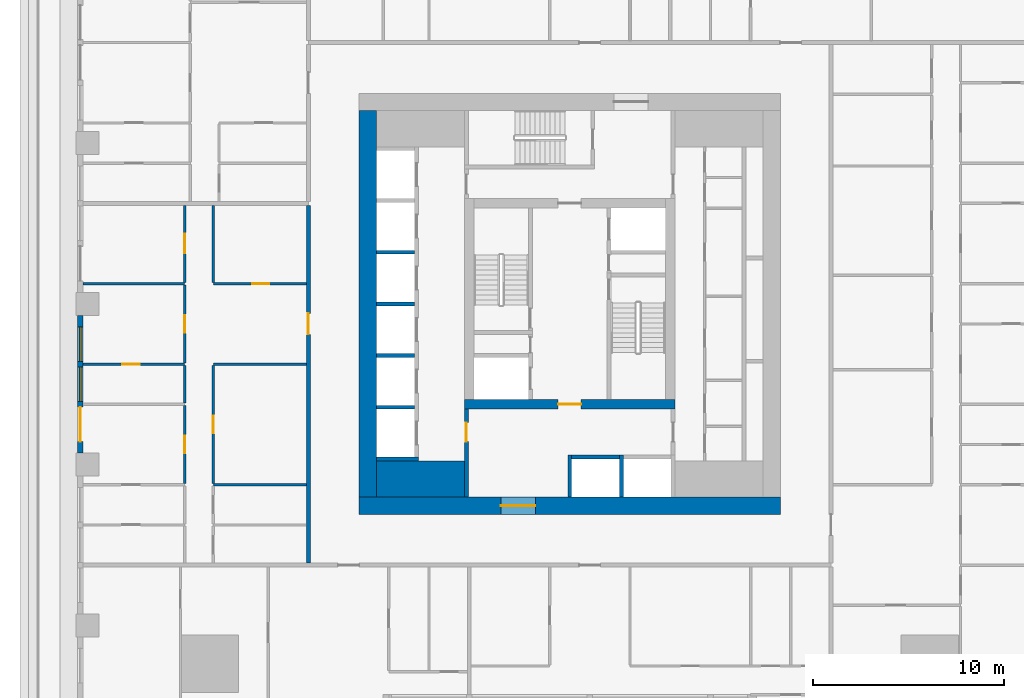
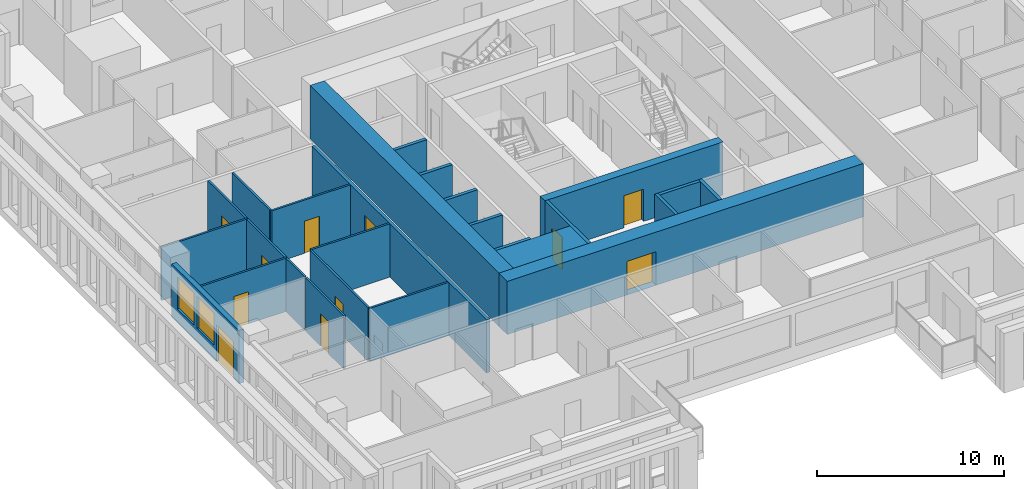
# One storey, part 3 of 15: 26 walls, 11 doors, 2 windows, 13 openings.
"""IFC4 building model written with IfcOpenShell, lengths in metres."""

from ifc_helpers import new_model, si_unit, direction, frame, frame_2d, origin, place, context, subcontext, project, spatial, rectangle, extrude, material, layer, layer_set, type_object, element, fill, save


model = new_model("IFC4")

# Units and contexts
model_context = context("Model", 3, precision=1e-05, world=origin(), true_north=direction((0.0, 1.0)))
body_context = subcontext(model_context, "Body", "Model", "MODEL_VIEW")
ifc_project = project(units=[si_unit("LENGTHUNIT", "METRE"), si_unit("AREAUNIT", "SQUARE_METRE"), si_unit("VOLUMEUNIT", "CUBIC_METRE"), si_unit("PLANEANGLEUNIT", "RADIAN"), si_unit("MASSUNIT", "GRAM", prefix="KILO")], contexts=[model_context])

# Site, building, storey
site_placement = place(None, origin())
site = spatial("IfcSite", under=ifc_project, at=site_placement, CompositionType="ELEMENT")
building_placement = place(site_placement, origin())
building = spatial("IfcBuilding", under=site, at=building_placement, Name="Khepri Terraces", CompositionType="ELEMENT")
storey_placement = place(building_placement, frame((0.0, 0.0, 50.39990234375)))
storey = spatial("IfcBuildingStorey", under=building, at=storey_placement, Name="L11", CompositionType="ELEMENT", Elevation=50.39990234375)

# Walls
ifc_material_1 = material(Name="Concrete C80/95", Category="concrete")
ifc_layer_1 = layer(ifc_material_1, 1.89990234375, Name="Concrete C80/95", Category="concrete")
ifc_layer_set_1 = layer_set([ifc_layer_1], Name="Concrete C80/95")
wall_type_1 = type_object("IfcWallType", Name="Core wall 1900 C80/95", PredefinedType="SHEAR", material=ifc_layer_set_1)
wall_1_placement = place(storey_placement, frame((-10.10009765625, -9.14990234375, 0.0), z_axis=(0.0, 0.0, 1.0), x_axis=(1.0, 0.0, 0.0)))
element("IfcWall", 1, at=wall_1_placement, inside=storey, type_object=wall_type_1, Name="Core wall PR01 L11", PredefinedType="SHEAR", context=body_context, shape_type="SweptSolid", body=[
    extrude(rectangle(XDim=4.60009765625, YDim=1.89990234375, at=frame_2d((2.300048828125, 0.0))), origin(), (0.0, 0.0, 1.0), 3.47998046875),
])
ifc_layer_2 = layer(ifc_material_1, 0.199951171875, Name="Concrete C80/95", Category="concrete")
ifc_layer_set_2 = layer_set([ifc_layer_2], Name="Concrete C80/95")
wall_type_2 = type_object("IfcWallType", Name="Core wall 200 C80/95", PredefinedType="SHEAR", material=ifc_layer_set_2)
for number, where, z_axis, x_axis, name in (
    (2, (0.0, -10.10009765625, 0.0), (0.0, 0.0, 1.0), (0.0, 1.0, 0.0), "Core wall SH01 L11"),
    (3, (2.699951171875, -10.10009765625, 0.0), (0.0, 0.0, 1.0), (0.0, 1.0, 0.0), "Core wall SH02 L11"),
    (4, (-10.10009765625, -8.10009765625, 0.0), (0.0, 0.0, 1.0), (1.0, 0.0, 0.0), "Core wall SH04 L11"),
):
    element("IfcWall", number, at=place(storey_placement, frame(where, z_axis=z_axis, x_axis=x_axis)), inside=storey, type_object=wall_type_2, Name=name, PredefinedType="SHEAR", context=body_context, shape_type="SweptSolid", body=[
        extrude(rectangle(XDim=2.2001953125, YDim=0.199951171875, at=frame_2d((1.10009765625, 0.0))), origin(), (0.0, 0.0, 1.0), 3.47998046875),
    ])
wall_2_placement = place(storey_placement, frame((0.10009765625, -8.0, 0.0), z_axis=(0.0, 0.0, 1.0), x_axis=(1.0, 0.0, 0.0)))
element("IfcWall", 5, at=wall_2_placement, inside=storey, type_object=wall_type_2, Name="Core wall SH06 L11", PredefinedType="SHEAR", context=body_context, shape_type="SweptSolid", body=[
    extrude(rectangle(XDim=2.5, YDim=0.199951171875, at=frame_2d((1.25, 0.0))), origin(), (0.0, 0.0, 1.0), 3.47998046875),
])
for number, where, z_axis, x_axis, name in (
    (6, (-10.10009765625, -5.39990234375, 0.0), (0.0, 0.0, 1.0), (1.0, 0.0, 0.0), "Core wall SH09 L11"),
    (7, (-10.10009765625, -2.699951171875, 0.0), (0.0, 0.0, 1.0), (1.0, 0.0, 0.0), "Core wall SH12 L11"),
    (8, (-10.10009765625, 0.0, 0.0), (0.0, 0.0, 1.0), (1.0, 0.0, 0.0), "Core wall SH14 L11"),
    (9, (-10.10009765625, 2.699951171875, 0.0), (0.0, 0.0, 1.0), (1.0, 0.0, 0.0), "Core wall SH17 L11"),
):
    element("IfcWall", number, at=place(storey_placement, frame(where, z_axis=z_axis, x_axis=x_axis)), inside=storey, type_object=wall_type_2, Name=name, PredefinedType="SHEAR", context=body_context, shape_type="SweptSolid", body=[
        extrude(rectangle(XDim=2.0, YDim=0.199951171875, at=frame_2d((1.0, 0.0))), origin(), (0.0, 0.0, 1.0), 3.47998046875),
    ])

# Wall, opening, door
ifc_layer_3 = layer(ifc_material_1, 0.5, Name="Concrete C80/95", Category="concrete")
ifc_layer_set_3 = layer_set([ifc_layer_3], Name="Concrete C80/95")
wall_type_3 = type_object("IfcWallType", Name="Core wall 500 C80/95", PredefinedType="SHEAR", material=ifc_layer_set_3)
wall_3_placement = place(storey_placement, frame((-5.5, -5.25, 0.0), z_axis=(0.0, 0.0, 1.0), x_axis=(1.0, 0.0, 0.0)))
wall_3 = element("IfcWall", 10, at=wall_3_placement, inside=storey, type_object=wall_type_3, Name="Core wall BX01 L11", PredefinedType="SHEAR", context=body_context, shape_type="SweptSolid", body=[
    extrude(rectangle(XDim=11.0, YDim=0.5, at=frame_2d((5.5, 0.0))), origin(), (0.0, 0.0, 1.0), 3.47998046875),
])
opening_1_placement = place(wall_3_placement, frame((4.89990234375, 0.0, 0.0)))
opening_1 = element("IfcOpeningElement", 11, at=opening_1_placement, cuts=wall_3, Name="Opening L11-C14", PredefinedType="OPENING", context=body_context, shape_type="SweptSolid", body=[
    extrude(rectangle(XDim=1.199951171875, YDim=2.10009765625, at=frame_2d((0.60009765625, 1.050048828125))), frame((0.0, 0.260009765625, 0.0), z_axis=(0.0, -1.0, 0.0), x_axis=(1.0, 0.0, 0.0)), (0.0, 0.0, 1.0), 0.52001953125),
])
ifc_material_2 = material(Name="Painted steel", Category="steel")
door_type_1 = type_object("IfcDoorType", Name="DR-CORE-FF-LOBBY-1200", OperationType="NOTDEFINED", PredefinedType="DOOR", material=ifc_material_2)
door_1_placement = place(opening_1_placement, origin())
door_1 = element("IfcDoor", 12, at=door_1_placement, inside=storey, type_object=door_type_1, Name="Firefighting lobby door L11-C14", OperationType="SINGLE_SWING_RIGHT", OverallHeight=2.10009765625, OverallWidth=1.199951171875, PredefinedType="DOOR", context=body_context, shape_type="SweptSolid", body=[
    extrude(rectangle(XDim=1.199951171875, YDim=2.10009765625, at=frame_2d((0.60009765625, 1.050048828125))), frame((0.0, 0.02490234375, 0.0), z_axis=(0.0, -1.0, 0.0), x_axis=(1.0, 0.0, 0.0)), (0.0, 0.0, 1.0), 0.050048828125),
])
fill(opening_1, door_1)

ifc_layer_4 = layer(ifc_material_1, 0.89990234375, Name="Concrete C80/95", Category="concrete")
ifc_layer_set_4 = layer_set([ifc_layer_4], Name="Concrete C80/95")
wall_type_4 = type_object("IfcWallType", Name="Core wall 900 C80/95", PredefinedType="SHEAR", material=ifc_layer_set_4)
wall_4_placement = place(storey_placement, frame((-11.0, -10.550048828125, 0.0), z_axis=(0.0, 0.0, 1.0), x_axis=(1.0, 0.0, 0.0)))
wall_4 = element("IfcWall", 13, at=wall_4_placement, inside=storey, type_object=wall_type_4, Name="Core wall OW-S L11", PredefinedType="SHEAR", context=body_context, shape_type="SweptSolid", body=[
    extrude(rectangle(XDim=22.0, YDim=0.89990234375, at=frame_2d((11.0, 0.0))), origin(), (0.0, 0.0, 1.0), 3.47998046875),
])
opening_2_placement = place(wall_4_placement, frame((7.39990234375, 0.0, 0.0)))
opening_2 = element("IfcOpeningElement", 14, at=opening_2_placement, cuts=wall_4, Name="Opening L11-C21", PredefinedType="OPENING", context=body_context, shape_type="SweptSolid", body=[
    extrude(rectangle(XDim=1.800048828125, YDim=2.199951171875, at=frame_2d((0.89990234375, 1.10009765625))), frame((0.0, 0.4599609375, 0.0), z_axis=(0.0, -1.0, 0.0), x_axis=(1.0, 0.0, 0.0)), (0.0, 0.0, 1.0), 0.919921875),
])
door_type_2 = type_object("IfcDoorType", Name="DR-CORE-ENTRANCE-1800", OperationType="NOTDEFINED", PredefinedType="DOOR", material=ifc_material_2)
door_2_placement = place(opening_2_placement, frame((1.800048828125, 0.0, 0.0), z_axis=(0.0, 0.0, 1.0), x_axis=(-1.0, 0.0, 0.0)))
door_2 = element("IfcDoor", 15, at=door_2_placement, inside=storey, type_object=door_type_2, Name="Core entrance door pair L11-C21", OperationType="DOUBLE_DOOR_SINGLE_SWING", OverallHeight=2.199951171875, OverallWidth=1.800048828125, PredefinedType="DOOR", context=body_context, shape_type="SweptSolid", body=[
    extrude(rectangle(XDim=1.800048828125, YDim=2.199951171875, at=frame_2d((0.89990234375, 1.10009765625))), frame((0.0, 0.02490234375, 0.0), z_axis=(0.0, -1.0, 0.0), x_axis=(1.0, 0.0, 0.0)), (0.0, 0.0, 1.0), 0.050048828125),
])
fill(opening_2, door_2)

# Wall
wall_5_placement = place(storey_placement, frame((-10.550048828125, -10.10009765625, 0.0), z_axis=(0.0, 0.0, 1.0), x_axis=(0.0, 1.0, 0.0)))
element("IfcWall", 16, at=wall_5_placement, inside=storey, type_object=wall_type_4, Name="Core wall OW-W L11", PredefinedType="SHEAR", context=body_context, shape_type="SweptSolid", body=[
    extrude(rectangle(XDim=20.2001953125, YDim=0.89990234375, at=frame_2d((10.10009765625, 0.0))), origin(), (0.0, 0.0, 1.0), 3.47998046875),
])

# Wall, opening, door
ifc_material_3 = material(Name="Fire-rated gypsum board partition")
ifc_layer_5 = layer(ifc_material_3, 0.199951171875, Name="Fire-rated gypsum board partition")
ifc_layer_set_5 = layer_set([ifc_layer_5], Name="Fire-rated gypsum board partition")
wall_type_5 = type_object("IfcWallType", Name="WL-CORE-PART-200", PredefinedType="PARTITIONING", material=ifc_layer_set_5)
wall_6_placement = place(storey_placement, frame((-5.39990234375, -10.10009765625, 0.0), z_axis=(0.0, 0.0, 1.0), x_axis=(0.0, 1.0, 0.0)))
wall_6 = element("IfcWall", 17, at=wall_6_placement, inside=storey, type_object=wall_type_5, Name="Core partition PT01 L11", PredefinedType="PARTITIONING", context=body_context, shape_type="SweptSolid", body=[
    extrude(rectangle(XDim=4.60009765625, YDim=0.199951171875, at=frame_2d((2.300048828125, 0.0))), origin(), (0.0, 0.0, 1.0), 3.47998046875),
])
opening_3_placement = place(wall_6_placement, frame((2.89990234375, 0.0, 0.0)))
opening_3 = element("IfcOpeningElement", 18, at=opening_3_placement, cuts=wall_6, Name="Opening L11-C18", PredefinedType="OPENING", context=body_context, shape_type="SweptSolid", body=[
    extrude(rectangle(XDim=1.0, YDim=2.10009765625, at=frame_2d((0.5, 1.050048828125))), frame((0.0, 0.10986328125, 0.0), z_axis=(0.0, -1.0, 0.0), x_axis=(1.0, 0.0, 0.0)), (0.0, 0.0, 1.0), 0.219970703125),
])
door_type_3 = type_object("IfcDoorType", Name="DR-CORE-LOBBY-1000", OperationType="NOTDEFINED", PredefinedType="DOOR", material=ifc_material_2)
door_3_placement = place(opening_3_placement, frame((1.0, 0.0, 0.0), z_axis=(0.0, 0.0, 1.0), x_axis=(-1.0, 0.0, 0.0)))
door_3 = element("IfcDoor", 19, at=door_3_placement, inside=storey, type_object=door_type_3, Name="Lobby door L11-C18", OperationType="SINGLE_SWING_LEFT", OverallHeight=2.10009765625, OverallWidth=1.0, PredefinedType="DOOR", context=body_context, shape_type="SweptSolid", body=[
    extrude(rectangle(XDim=1.0, YDim=2.10009765625, at=frame_2d((0.5, 1.050048828125))), frame((0.0, 0.02490234375, 0.0), z_axis=(0.0, -1.0, 0.0), x_axis=(1.0, 0.0, 0.0)), (0.0, 0.0, 1.0), 0.050048828125),
])
fill(opening_3, door_3)

ifc_material_4 = material(Name="Fire-rated gypsum plasterboard partition, mineral wool")
ifc_layer_6 = layer(ifc_material_4, 0.199951171875, Name="Fire-rated gypsum plasterboard partition, mineral wool")
ifc_layer_set_6 = layer_set([ifc_layer_6], Name="Fire-rated gypsum plasterboard partition, mineral wool")
wall_type_6 = type_object("IfcWallType", Name="WL-CORR-200", PredefinedType="PARTITIONING", material=ifc_layer_set_6)
wall_7_placement = place(storey_placement, frame((-13.64990234375, -13.550048828125, 0.0), z_axis=(0.0, 0.0, 1.0), x_axis=(0.0, 1.0, 0.0)))
wall_7 = element("IfcWall", 20, at=wall_7_placement, inside=storey, type_object=wall_type_6, Name="Partition P-025 L11", PredefinedType="PARTITIONING", context=body_context, shape_type="SweptSolid", body=[
    extrude(rectangle(XDim=18.699951171875, YDim=0.199951171875, at=frame_2d((9.35009765625, 0.0))), origin(), (0.0, 0.0, 1.0), 3.47998046875),
])
opening_4_placement = place(wall_7_placement, frame((11.949951171875, 0.0, 0.0)))
opening_4 = element("IfcOpeningElement", 21, at=opening_4_placement, cuts=wall_7, Name="Opening D1", PredefinedType="OPENING", context=body_context, shape_type="SweptSolid", body=[
    extrude(rectangle(XDim=1.10009765625, YDim=2.39990234375, at=frame_2d((0.550048828125, 1.199951171875))), frame((0.0, 0.10986328125, 0.0), z_axis=(0.0, -1.0, 0.0), x_axis=(1.0, 0.0, 0.0)), (0.0, 0.0, 1.0), 0.219970703125),
])
ifc_material_5 = material(Name="Solid-core timber door leaf, flat entrance door", Category="wood")
door_type_4 = type_object("IfcDoorType", Name="DR-ENT-1100", OperationType="NOTDEFINED", PredefinedType="DOOR", material=ifc_material_5)
door_4_placement = place(opening_4_placement, origin())
door_4 = element("IfcDoor", 22, at=door_4_placement, inside=storey, type_object=door_type_4, Name="Flat D2 entrance door", OperationType="SINGLE_SWING_RIGHT", OverallHeight=2.39990234375, OverallWidth=1.10009765625, PredefinedType="DOOR", context=body_context, shape_type="SweptSolid", body=[
    extrude(rectangle(XDim=1.10009765625, YDim=2.39990234375, at=frame_2d((0.550048828125, 1.199951171875))), frame((0.0, 0.02490234375, 0.0), z_axis=(0.0, -1.0, 0.0), x_axis=(1.0, 0.0, 0.0)), (0.0, 0.0, 1.0), 0.050048828125),
])
fill(opening_4, door_4)

# Wall, openings, door, windows
ifc_material_6 = material(Name="Precast concrete C50/60 warm stone", Category="masonry")
ifc_layer_7 = layer(ifc_material_6, 0.300048828125, Name="Precast concrete C50/60 warm stone", Category="masonry")
ifc_layer_set_7 = layer_set([ifc_layer_7], Name="Precast concrete C50/60 warm stone")
wall_type_7 = type_object("IfcWallType", Name="WL-EXT-PRECAST-300", PredefinedType="STANDARD", material=ifc_layer_set_7)
wall_8_placement = place(storey_placement, frame((-25.570068359375, -0.60009765625, 0.0), z_axis=(0.0, 0.0, 1.0), x_axis=(0.0, -1.0, 0.0)))
wall_8 = element("IfcWall", 23, at=wall_8_placement, inside=storey, type_object=wall_type_7, Name="External wall L11 W", PredefinedType="STANDARD", context=body_context, shape_type="SweptSolid", body=[
    extrude(rectangle(XDim=7.199951171875, YDim=0.300048828125, at=frame_2d((3.60009765625, 0.0))), origin(), (0.0, 0.0, 1.0), 3.47998046875),
])
opening_5_placement = place(wall_8_placement, frame((0.60009765625, 0.0, 0.89990234375)))
opening_5 = element("IfcOpeningElement", 24, at=opening_5_placement, cuts=wall_8, Name="Opening W1", PredefinedType="OPENING", context=body_context, shape_type="SweptSolid", body=[
    extrude(rectangle(XDim=1.800048828125, YDim=2.10009765625, at=frame_2d((0.89990234375, 1.050048828125))), frame((0.0, 0.16015625, 0.0), z_axis=(0.0, -1.0, 0.0), x_axis=(1.0, 0.0, 0.0)), (0.0, 0.0, 1.0), 0.320068359375),
])
opening_6_placement = place(wall_8_placement, frame((2.699951171875, 0.0, 0.89990234375)))
opening_6 = element("IfcOpeningElement", 25, at=opening_6_placement, cuts=wall_8, Name="Opening W1", PredefinedType="OPENING", context=body_context, shape_type="SweptSolid", body=[
    extrude(rectangle(XDim=1.800048828125, YDim=2.10009765625, at=frame_2d((0.89990234375, 1.050048828125))), frame((0.0, 0.16015625, 0.0), z_axis=(0.0, -1.0, 0.0), x_axis=(1.0, 0.0, 0.0)), (0.0, 0.0, 1.0), 0.320068359375),
])
opening_7_placement = place(wall_8_placement, frame((4.800048828125, 0.0, 0.0)))
opening_7 = element("IfcOpeningElement", 26, at=opening_7_placement, cuts=wall_8, Name="Opening ED-L11-15", PredefinedType="OPENING", context=body_context, shape_type="SweptSolid", body=[
    extrude(rectangle(XDim=1.800048828125, YDim=2.39990234375, at=frame_2d((0.89990234375, 1.199951171875))), frame((0.0, 0.16015625, 0.0), z_axis=(0.0, -1.0, 0.0), x_axis=(1.0, 0.0, 0.0)), (0.0, 0.0, 1.0), 0.320068359375),
])
ifc_material_7 = material(Name="Anodised aluminium bronze glazed door", Category="aluminium")
door_type_5 = type_object("IfcDoorType", Name="DR-BAL-SLIDE-1800x2400", OperationType="NOTDEFINED", PredefinedType="DOOR", material=ifc_material_7)
door_5_placement = place(opening_7_placement, origin())
door_5 = element("IfcDoor", 27, at=door_5_placement, inside=storey, type_object=door_type_5, Name="Balcony door L11 W", OperationType="SLIDING_TO_RIGHT", OverallHeight=2.39990234375, OverallWidth=1.800048828125, PredefinedType="DOOR", context=body_context, shape_type="SweptSolid", body=[
    extrude(rectangle(XDim=1.800048828125, YDim=2.39990234375, at=frame_2d((0.89990234375, 1.199951171875))), frame((0.0, 0.02490234375, 0.0), z_axis=(0.0, -1.0, 0.0), x_axis=(1.0, 0.0, 0.0)), (0.0, 0.0, 1.0), 0.050048828125),
])
fill(opening_7, door_5)
ifc_material_8 = material(Name="Clear glass", Category="glass")
window_type = type_object("IfcWindowType", Name="WIN-RES-1800x2100", PartitioningType="SINGLE_PANEL", PredefinedType="WINDOW", material=ifc_material_8)
window_1_placement = place(opening_5_placement, origin())
window_1 = element("IfcWindow", 28, at=window_1_placement, inside=storey, type_object=window_type, Name="Window L11 W", OverallHeight=2.10009765625, OverallWidth=1.800048828125, PartitioningType="SINGLE_PANEL", PredefinedType="WINDOW", context=body_context, shape_type="SweptSolid", body=[
    extrude(rectangle(XDim=1.800048828125, YDim=2.10009765625, at=frame_2d((0.89990234375, 1.050048828125))), frame((0.0, 0.030029296875, 0.0), z_axis=(0.0, -1.0, 0.0), x_axis=(1.0, 0.0, 0.0)), (0.0, 0.0, 1.0), 0.06005859375),
])
fill(opening_5, window_1)
window_2_placement = place(opening_6_placement, origin())
window_2 = element("IfcWindow", 29, at=window_2_placement, inside=storey, type_object=window_type, Name="Window L11 W", OverallHeight=2.10009765625, OverallWidth=1.800048828125, PartitioningType="SINGLE_PANEL", PredefinedType="WINDOW", context=body_context, shape_type="SweptSolid", body=[
    extrude(rectangle(XDim=1.800048828125, YDim=2.10009765625, at=frame_2d((0.89990234375, 1.050048828125))), frame((0.0, 0.030029296875, 0.0), z_axis=(0.0, -1.0, 0.0), x_axis=(1.0, 0.0, 0.0)), (0.0, 0.0, 1.0), 0.06005859375),
])
fill(opening_6, window_2)

# Wall
ifc_material_9 = material(Name="Gypsum plasterboard partition")
ifc_layer_8 = layer(ifc_material_9, 0.1201171875, Name="Gypsum plasterboard partition")
ifc_layer_set_8 = layer_set([ifc_layer_8], Name="Gypsum plasterboard partition")
wall_type_8 = type_object("IfcWallType", Name="WL-PART-120", PredefinedType="PARTITIONING", material=ifc_layer_set_8)
wall_9_placement = place(storey_placement, frame((-18.6201171875, -9.449951171875, 0.0), z_axis=(0.0, 0.0, 1.0), x_axis=(1.0, 0.0, 0.0)))
element("IfcWall", 30, at=wall_9_placement, inside=storey, type_object=wall_type_8, Name="Partition P-032 L11", PredefinedType="PARTITIONING", context=body_context, shape_type="SweptSolid", body=[
    extrude(rectangle(XDim=4.8701171875, YDim=0.1201171875, at=frame_2d((2.43505859375, 0.0))), origin(), (0.0, 0.0, 1.0), 3.47998046875),
])

# Wall, opening, door
wall_10_placement = place(storey_placement, frame((-20.1201171875, -9.389892578125, 0.0), z_axis=(0.0, 0.0, 1.0), x_axis=(0.0, 1.0, 0.0)))
wall_10 = element("IfcWall", 31, at=wall_10_placement, inside=storey, type_object=wall_type_8, Name="Partition P-035 L11", PredefinedType="PARTITIONING", context=body_context, shape_type="SweptSolid", body=[
    extrude(rectangle(XDim=4.079833984375, YDim=0.1201171875, at=frame_2d((2.0400390625, 0.0))), origin(), (0.0, 0.0, 1.0), 3.47998046875),
])
opening_8_placement = place(wall_10_placement, frame((1.590087890625, 0.0, 0.0)))
opening_8 = element("IfcOpeningElement", 32, at=opening_8_placement, cuts=wall_10, Name="Opening D3", PredefinedType="OPENING", context=body_context, shape_type="SweptSolid", body=[
    extrude(rectangle(XDim=0.89990234375, YDim=2.10009765625, at=frame_2d((0.449951171875, 1.050048828125))), frame((0.0, 0.070068359375, 0.0), z_axis=(0.0, -1.0, 0.0), x_axis=(1.0, 0.0, 0.0)), (0.0, 0.0, 1.0), 0.14013671875),
])
ifc_material_10 = material(Name="Timber door leaf", Category="wood")
door_type_6 = type_object("IfcDoorType", Name="DR-INT-900", OperationType="NOTDEFINED", PredefinedType="DOOR", material=ifc_material_10)
door_6_placement = place(opening_8_placement, origin())
door_6 = element("IfcDoor", 33, at=door_6_placement, inside=storey, type_object=door_type_6, Name="Door Master Bedroom", OperationType="SINGLE_SWING_RIGHT", OverallHeight=2.10009765625, OverallWidth=0.89990234375, PredefinedType="DOOR", context=body_context, shape_type="SweptSolid", body=[
    extrude(rectangle(XDim=0.89990234375, YDim=2.10009765625, at=frame_2d((0.449951171875, 1.050048828125))), frame((0.0, 0.02490234375, 0.0), z_axis=(0.0, -1.0, 0.0), x_axis=(1.0, 0.0, 0.0)), (0.0, 0.0, 1.0), 0.050048828125),
])
fill(opening_8, door_6)

wall_11_placement = place(storey_placement, frame((-18.6201171875, -9.389892578125, 0.0), z_axis=(0.0, 0.0, 1.0), x_axis=(0.0, 1.0, 0.0)))
wall_11 = element("IfcWall", 34, at=wall_11_placement, inside=storey, type_object=wall_type_8, Name="Partition P-036 L11", PredefinedType="PARTITIONING", context=body_context, shape_type="SweptSolid", body=[
    extrude(rectangle(XDim=6.179931640625, YDim=0.1201171875, at=frame_2d((3.08984375, 0.0))), origin(), (0.0, 0.0, 1.0), 3.47998046875),
])
opening_9_placement = place(wall_11_placement, frame((2.639892578125, 0.0, 0.0)))
opening_9 = element("IfcOpeningElement", 35, at=opening_9_placement, cuts=wall_11, Name="Opening D3", PredefinedType="OPENING", context=body_context, shape_type="SweptSolid", body=[
    extrude(rectangle(XDim=0.89990234375, YDim=2.10009765625, at=frame_2d((0.449951171875, 1.050048828125))), frame((0.0, 0.070068359375, 0.0), z_axis=(0.0, -1.0, 0.0), x_axis=(1.0, 0.0, 0.0)), (0.0, 0.0, 1.0), 0.14013671875),
])
door_7_placement = place(opening_9_placement, frame((0.89990234375, 0.0, 0.0), z_axis=(0.0, 0.0, 1.0), x_axis=(-1.0, 0.0, 0.0)))
door_7 = element("IfcDoor", 36, at=door_7_placement, inside=storey, type_object=door_type_6, Name="Door Kitchen", OperationType="SINGLE_SWING_LEFT", OverallHeight=2.10009765625, OverallWidth=0.89990234375, PredefinedType="DOOR", context=body_context, shape_type="SweptSolid", body=[
    extrude(rectangle(XDim=0.89990234375, YDim=2.10009765625, at=frame_2d((0.449951171875, 1.050048828125))), frame((0.0, 0.02490234375, 0.0), z_axis=(0.0, -1.0, 0.0), x_axis=(1.0, 0.0, 0.0)), (0.0, 0.0, 1.0), 0.050048828125),
])
fill(opening_9, door_7)

# Wall
wall_12_placement = place(storey_placement, frame((-20.1201171875, -5.18994140625, 0.0), z_axis=(0.0, 0.0, 1.0), x_axis=(0.0, 1.0, 0.0)))
element("IfcWall", 37, at=wall_12_placement, inside=storey, type_object=wall_type_8, Name="Partition P-043 L11", PredefinedType="PARTITIONING", context=body_context, shape_type="SweptSolid", body=[
    extrude(rectangle(XDim=1.97998046875, YDim=0.1201171875, at=frame_2d((0.989990234375, 0.0))), origin(), (0.0, 0.0, 1.0), 3.47998046875),
])

# Wall, opening, door
wall_13_placement = place(storey_placement, frame((-25.419921875, -3.14990234375, 0.0), z_axis=(0.0, 0.0, 1.0), x_axis=(1.0, 0.0, 0.0)))
wall_13 = element("IfcWall", 38, at=wall_13_placement, inside=storey, type_object=wall_type_8, Name="Partition P-047 L11", PredefinedType="PARTITIONING", context=body_context, shape_type="SweptSolid", body=[
    extrude(rectangle(XDim=5.2998046875, YDim=0.1201171875, at=frame_2d((2.64990234375, 0.0))), origin(), (0.0, 0.0, 1.0), 3.47998046875),
])
opening_10_placement = place(wall_13_placement, frame((2.050048828125, 0.0, 0.0)))
opening_10 = element("IfcOpeningElement", 39, at=opening_10_placement, cuts=wall_13, Name="Opening D4", PredefinedType="OPENING", context=body_context, shape_type="SweptSolid", body=[
    extrude(rectangle(XDim=0.89990234375, YDim=2.10009765625, at=frame_2d((0.449951171875, 1.050048828125))), frame((0.0, 0.070068359375, 0.0), z_axis=(0.0, -1.0, 0.0), x_axis=(1.0, 0.0, 0.0)), (0.0, 0.0, 1.0), 0.14013671875),
])
ifc_material_11 = material(Name="Timber door leaf, moisture resistant", Category="wood")
door_type_7 = type_object("IfcDoorType", Name="DR-WET-900", OperationType="NOTDEFINED", PredefinedType="DOOR", material=ifc_material_11)
door_8_placement = place(opening_10_placement, frame((0.89990234375, 0.0, 0.0), z_axis=(0.0, 0.0, 1.0), x_axis=(-1.0, 0.0, 0.0)))
door_8 = element("IfcDoor", 40, at=door_8_placement, inside=storey, type_object=door_type_7, Name="Door Bathroom", OperationType="SINGLE_SWING_RIGHT", OverallHeight=2.10009765625, OverallWidth=0.89990234375, PredefinedType="DOOR", context=body_context, shape_type="SweptSolid", body=[
    extrude(rectangle(XDim=0.89990234375, YDim=2.10009765625, at=frame_2d((0.449951171875, 1.050048828125))), frame((0.0, 0.02490234375, 0.0), z_axis=(0.0, -1.0, 0.0), x_axis=(1.0, 0.0, 0.0)), (0.0, 0.0, 1.0), 0.050048828125),
])
fill(opening_10, door_8)

# Wall
wall_14_placement = place(storey_placement, frame((-18.6201171875, -3.14990234375, 0.0), z_axis=(0.0, 0.0, 1.0), x_axis=(1.0, 0.0, 0.0)))
element("IfcWall", 41, at=wall_14_placement, inside=storey, type_object=wall_type_8, Name="Partition P-048 L11", PredefinedType="PARTITIONING", context=body_context, shape_type="SweptSolid", body=[
    extrude(rectangle(XDim=4.8701171875, YDim=0.1201171875, at=frame_2d((2.43505859375, 0.0))), origin(), (0.0, 0.0, 1.0), 3.47998046875),
])

# Wall, opening, door
wall_15_placement = place(storey_placement, frame((-20.1201171875, -3.090087890625, 0.0), z_axis=(0.0, 0.0, 1.0), x_axis=(0.0, 1.0, 0.0)))
wall_15 = element("IfcWall", 42, at=wall_15_placement, inside=storey, type_object=wall_type_8, Name="Partition P-049 L11", PredefinedType="PARTITIONING", context=body_context, shape_type="SweptSolid", body=[
    extrude(rectangle(XDim=4.080078125, YDim=0.1201171875, at=frame_2d((2.0400390625, 0.0))), origin(), (0.0, 0.0, 1.0), 3.47998046875),
])
opening_11_placement = place(wall_15_placement, frame((1.590087890625, 0.0, 0.0)))
opening_11 = element("IfcOpeningElement", 43, at=opening_11_placement, cuts=wall_15, Name="Opening D3", PredefinedType="OPENING", context=body_context, shape_type="SweptSolid", body=[
    extrude(rectangle(XDim=0.89990234375, YDim=2.10009765625, at=frame_2d((0.449951171875, 1.050048828125))), frame((0.0, 0.070068359375, 0.0), z_axis=(0.0, -1.0, 0.0), x_axis=(1.0, 0.0, 0.0)), (0.0, 0.0, 1.0), 0.14013671875),
])
door_9_placement = place(opening_11_placement, origin())
door_9 = element("IfcDoor", 44, at=door_9_placement, inside=storey, type_object=door_type_6, Name="Door Bedroom", OperationType="SINGLE_SWING_RIGHT", OverallHeight=2.10009765625, OverallWidth=0.89990234375, PredefinedType="DOOR", context=body_context, shape_type="SweptSolid", body=[
    extrude(rectangle(XDim=0.89990234375, YDim=2.10009765625, at=frame_2d((0.449951171875, 1.050048828125))), frame((0.0, 0.02490234375, 0.0), z_axis=(0.0, -1.0, 0.0), x_axis=(1.0, 0.0, 0.0)), (0.0, 0.0, 1.0), 0.050048828125),
])
fill(opening_11, door_9)

# Wall
wall_16_placement = place(storey_placement, frame((-25.419921875, 1.050048828125, 0.0), z_axis=(0.0, 0.0, 1.0), x_axis=(1.0, 0.0, 0.0)))
element("IfcWall", 45, at=wall_16_placement, inside=storey, type_object=wall_type_8, Name="Partition P-052 L11", PredefinedType="PARTITIONING", context=body_context, shape_type="SweptSolid", body=[
    extrude(rectangle(XDim=5.2998046875, YDim=0.1201171875, at=frame_2d((2.64990234375, 0.0))), origin(), (0.0, 0.0, 1.0), 3.47998046875),
])

# Wall, opening, door
wall_17_placement = place(storey_placement, frame((-18.6201171875, 1.050048828125, 0.0), z_axis=(0.0, 0.0, 1.0), x_axis=(1.0, 0.0, 0.0)))
wall_17 = element("IfcWall", 46, at=wall_17_placement, inside=storey, type_object=wall_type_8, Name="Partition P-053 L11", PredefinedType="PARTITIONING", context=body_context, shape_type="SweptSolid", body=[
    extrude(rectangle(XDim=4.8701171875, YDim=0.1201171875, at=frame_2d((2.43505859375, 0.0))), origin(), (0.0, 0.0, 1.0), 3.47998046875),
])
opening_12_placement = place(wall_17_placement, frame((2.034912109375, 0.0, 0.0)))
opening_12 = element("IfcOpeningElement", 47, at=opening_12_placement, cuts=wall_17, Name="Opening D3", PredefinedType="OPENING", context=body_context, shape_type="SweptSolid", body=[
    extrude(rectangle(XDim=0.89990234375, YDim=2.10009765625, at=frame_2d((0.449951171875, 1.050048828125))), frame((0.0, 0.070068359375, 0.0), z_axis=(0.0, -1.0, 0.0), x_axis=(1.0, 0.0, 0.0)), (0.0, 0.0, 1.0), 0.14013671875),
])
door_10_placement = place(opening_12_placement, origin())
door_10 = element("IfcDoor", 48, at=door_10_placement, inside=storey, type_object=door_type_6, Name="Door Staff Bedroom", OperationType="SINGLE_SWING_RIGHT", OverallHeight=2.10009765625, OverallWidth=0.89990234375, PredefinedType="DOOR", context=body_context, shape_type="SweptSolid", body=[
    extrude(rectangle(XDim=0.89990234375, YDim=2.10009765625, at=frame_2d((0.449951171875, 1.050048828125))), frame((0.0, 0.02490234375, 0.0), z_axis=(0.0, -1.0, 0.0), x_axis=(1.0, 0.0, 0.0)), (0.0, 0.0, 1.0), 0.050048828125),
])
fill(opening_12, door_10)

wall_18_placement = place(storey_placement, frame((-20.1201171875, 1.110107421875, 0.0), z_axis=(0.0, 0.0, 1.0), x_axis=(0.0, 1.0, 0.0)))
wall_18 = element("IfcWall", 49, at=wall_18_placement, inside=storey, type_object=wall_type_8, Name="Partition P-055 L11", PredefinedType="PARTITIONING", context=body_context, shape_type="SweptSolid", body=[
    extrude(rectangle(XDim=4.039794921875, YDim=0.1201171875, at=frame_2d((2.02001953125, 0.0))), origin(), (0.0, 0.0, 1.0), 3.47998046875),
])
opening_13_placement = place(wall_18_placement, frame((1.5400390625, 0.0, 0.0)))
opening_13 = element("IfcOpeningElement", 50, at=opening_13_placement, cuts=wall_18, Name="Opening D2", PredefinedType="OPENING", context=body_context, shape_type="SweptSolid", body=[
    extrude(rectangle(XDim=1.0, YDim=2.10009765625, at=frame_2d((0.5, 1.050048828125))), frame((0.0, 0.070068359375, 0.0), z_axis=(0.0, -1.0, 0.0), x_axis=(1.0, 0.0, 0.0)), (0.0, 0.0, 1.0), 0.14013671875),
])
ifc_material_12 = material(Name="Timber door leaf, living room door", Category="wood")
door_type_8 = type_object("IfcDoorType", Name="DR-INT-1000", OperationType="NOTDEFINED", PredefinedType="DOOR", material=ifc_material_12)
door_11_placement = place(opening_13_placement, origin())
door_11 = element("IfcDoor", 51, at=door_11_placement, inside=storey, type_object=door_type_8, Name="Door Living Room", OperationType="SINGLE_SWING_RIGHT", OverallHeight=2.10009765625, OverallWidth=1.0, PredefinedType="DOOR", context=body_context, shape_type="SweptSolid", body=[
    extrude(rectangle(XDim=1.0, YDim=2.10009765625, at=frame_2d((0.5, 1.050048828125))), frame((0.0, 0.02490234375, 0.0), z_axis=(0.0, -1.0, 0.0), x_axis=(1.0, 0.0, 0.0)), (0.0, 0.0, 1.0), 0.050048828125),
])
fill(opening_13, door_11)

# Wall
wall_19_placement = place(storey_placement, frame((-18.6201171875, 1.110107421875, 0.0), z_axis=(0.0, 0.0, 1.0), x_axis=(0.0, 1.0, 0.0)))
element("IfcWall", 52, at=wall_19_placement, inside=storey, type_object=wall_type_8, Name="Partition P-056 L11", PredefinedType="PARTITIONING", context=body_context, shape_type="SweptSolid", body=[
    extrude(rectangle(XDim=4.039794921875, YDim=0.1201171875, at=frame_2d((2.02001953125, 0.0))), origin(), (0.0, 0.0, 1.0), 3.47998046875),
])

save(model, "model.ifc")
